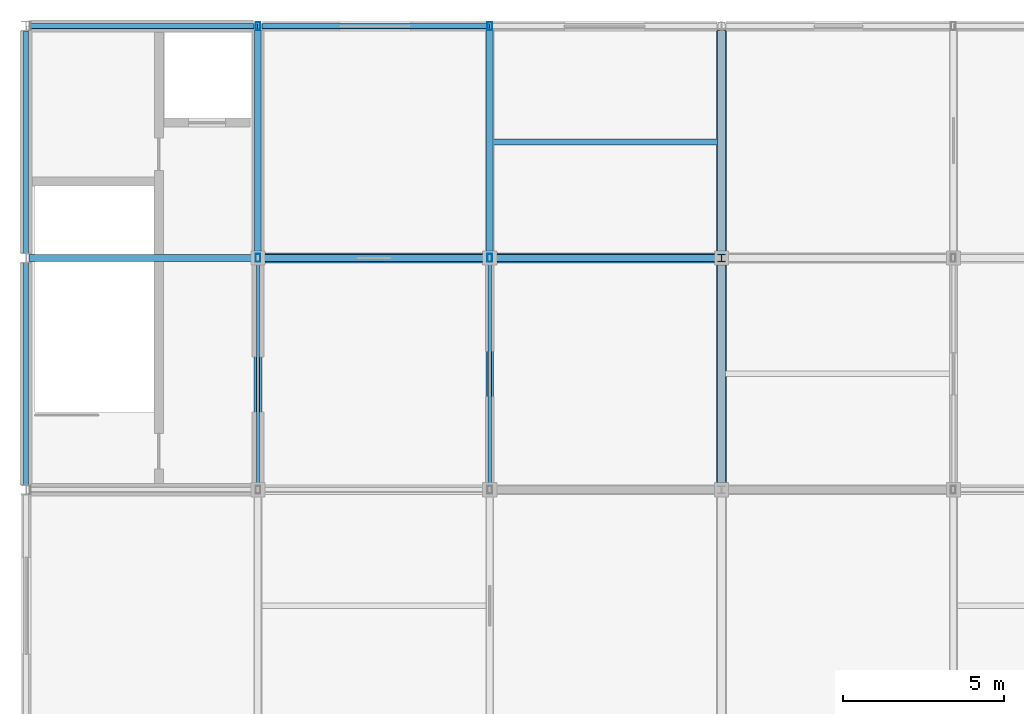
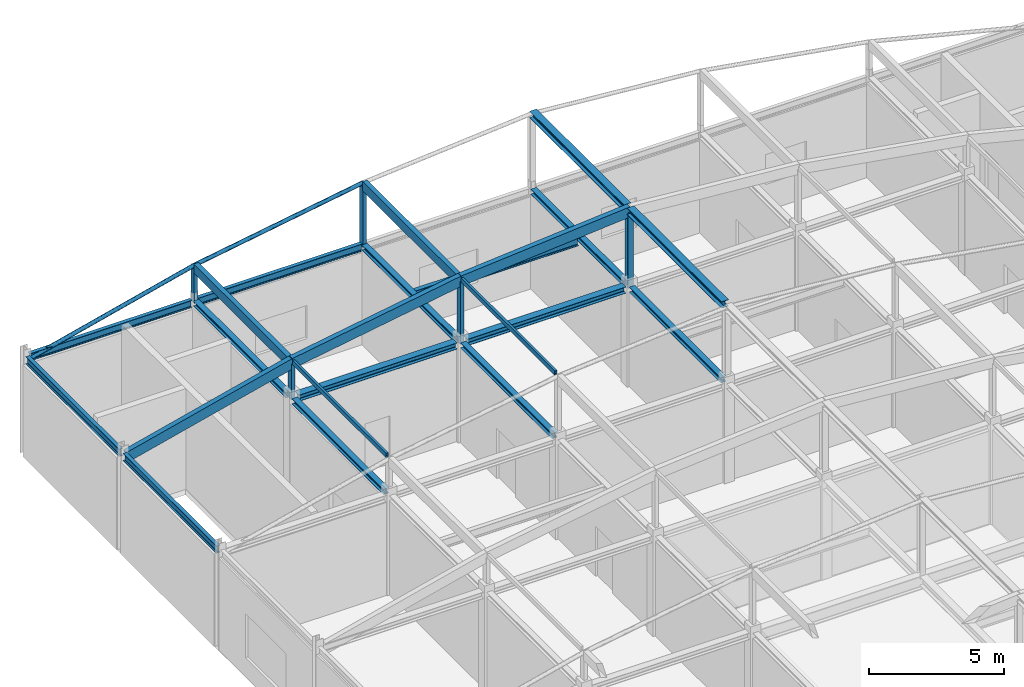
# One storey, part 12 of 23: 15 beams, 14 members.
"""IFC4 building model written with IfcOpenShell, lengths in metres."""

import ifcopenshell
import ifcopenshell.guid

model = None  # the IFC model being written
_history = None  # IfcOwnerHistory: only IFC2X3 demands one
_inside = {}  # id of a spatial element -> (the spatial element, [elements in it])
_under = {}  # id of a project, library or spatial element -> (it, [spatial elements below it])
_declared = {}  # id of a project -> (the project, [libraries it declares])
_typed = {}  # id of a type object -> (the type object, [elements of that type])
_made_of = {}  # id of a material, layer set ... -> (it, [elements and type objects made of it])


def new_model(schema):
    """Start an empty IFC model of exactly this schema.

    Asked for "IFC4X3", IfcOpenShell would pick the latest addendum, in which some entities
    have other attributes; the version numbers below select the first issue.
    IFC2X3 requires an IfcOwnerHistory on every rooted entity: one is made here for all.
    """
    global model, _history
    if schema == "IFC4X3":
        model = ifcopenshell.file(schema_version=(4, 3, 0, 0))
    else:
        model = ifcopenshell.file(schema=schema)
    _inside.clear()
    _under.clear()
    _declared.clear()
    _typed.clear()
    _made_of.clear()
    _history = None
    if model.schema == "IFC2X3":
        org = make("IfcOrganization", Name="unknown")
        user = make(
            "IfcPersonAndOrganization",
            ThePerson=make("IfcPerson", FamilyName="unknown"),
            TheOrganization=org,
        )
        app = make(
            "IfcApplication",
            ApplicationDeveloper=org,
            Version="unknown",
            ApplicationFullName="unknown",
            ApplicationIdentifier="unknown",
        )
        _history = make(
            "IfcOwnerHistory",
            OwningUser=user,
            OwningApplication=app,
            ChangeAction="ADDED",
            CreationDate=0,
        )
    return model


def make(cls, **values):
    """One entity of the class cls with the attributes given. An attribute that is None is left unset."""
    return model.create_entity(
        cls, **{name: value for name, value in values.items() if value is not None}
    )


def rooted(cls, **values):
    """An entity with a GlobalId (a new one), such as an element, a storey or a relation."""
    return make(cls, GlobalId=ifcopenshell.guid.new(), OwnerHistory=_history, **values)


def si_unit(unit_type, name, prefix=None):
    """IfcSIUnit, for example si_unit("LENGTHUNIT", "METRE", prefix="MILLI")."""
    return make("IfcSIUnit", UnitType=unit_type, Prefix=prefix, Name=name)


def assignment(units):
    """IfcUnitAssignment: the units of a project."""
    return None if units is None else make("IfcUnitAssignment", Units=units)


def point(xyz):
    """IfcCartesianPoint."""
    return None if xyz is None else make("IfcCartesianPoint", Coordinates=xyz)


def direction(xyz):
    """IfcDirection."""
    return None if xyz is None else make("IfcDirection", DirectionRatios=xyz)


def frame(location, z_axis=None, x_axis=None):
    """IfcAxis2Placement3D, a coordinate frame: its origin and axes. An axis left out is left unset."""
    return make(
        "IfcAxis2Placement3D",
        Location=point(location),
        Axis=direction(z_axis),
        RefDirection=direction(x_axis),
    )


def frame_2d(location, x_axis=None):
    """IfcAxis2Placement2D, a coordinate frame in the plane: its origin and x axis."""
    return make(
        "IfcAxis2Placement2D", Location=point(location), RefDirection=direction(x_axis)
    )


def origin():
    """The frame at (0, 0, 0) with its axes left unset."""
    return frame((0.0, 0.0, 0.0))


def origin_2d():
    """The frame at (0, 0) in the plane with its x axis left unset."""
    return frame_2d((0.0, 0.0))


def place(relative_to, where):
    """IfcLocalPlacement: puts the frame where relative to a parent placement (None: the world)."""
    return make(
        "IfcLocalPlacement", PlacementRelTo=relative_to, RelativePlacement=where
    )


def context(
    kind, dimensions, precision=None, world=None, true_north=None, identifier=None
):
    """IfcGeometricRepresentationContext, for example the 3D "Model" context."""
    return make(
        "IfcGeometricRepresentationContext",
        ContextIdentifier=identifier,
        ContextType=kind,
        CoordinateSpaceDimension=dimensions,
        Precision=precision,
        WorldCoordinateSystem=world,
        TrueNorth=true_north,
    )


def subcontext(parent, identifier, kind, view, scale=None):
    """IfcGeometricRepresentationSubContext, for example "Body" below "Model"."""
    return make(
        "IfcGeometricRepresentationSubContext",
        ContextIdentifier=identifier,
        ContextType=kind,
        ParentContext=parent,
        TargetScale=scale,
        TargetView=view,
    )


def project(units=None, contexts=None):
    """IfcProject with its units and contexts."""
    return rooted(
        "IfcProject",
        Name="project",
        RepresentationContexts=contexts,
        UnitsInContext=assignment(units),
    )


def spatial(cls, under=None, at=None, **own):
    """A site, building, storey or space (cls), placed at a placement, below another one or the project."""
    s = rooted(cls, ObjectPlacement=at, **own)
    if under is not None:
        _under.setdefault(under.id(), (under, []))[1].append(s)
    return s


def profile(cls, at=None, kind="AREA", **sizes):
    """A parametric profile (cls). Its sizes go by their IFC names, for example OverallWidth=200.0."""
    return make(cls, ProfileType=kind, Position=at, **sizes)


def rectangle(**sizes):
    """IfcRectangleProfileDef."""
    return profile("IfcRectangleProfileDef", **sizes)


def hollow_rectangle(**sizes):
    """IfcRectangleHollowProfileDef."""
    return profile("IfcRectangleHollowProfileDef", **sizes)


def hollow_circle(**sizes):
    """IfcCircleHollowProfileDef."""
    return profile("IfcCircleHollowProfileDef", **sizes)


def i_section(**sizes):
    """IfcIShapeProfileDef."""
    return profile("IfcIShapeProfileDef", **sizes)


def extrude(swept, where, along, depth):
    """IfcExtrudedAreaSolid: the profile swept, set in the frame where, extruded along a direction by depth."""
    return make(
        "IfcExtrudedAreaSolid",
        SweptArea=swept,
        Position=where,
        ExtrudedDirection=direction(along),
        Depth=depth,
    )


def shape(context_of_items, identifier, shape_type, items):
    """IfcShapeRepresentation: the items that make up one representation, for example the "Body"."""
    return make(
        "IfcShapeRepresentation",
        ContextOfItems=context_of_items,
        RepresentationIdentifier=identifier,
        RepresentationType=shape_type,
        Items=items,
    )


def material(Name=None, Category=None):
    """IfcMaterial."""
    return make("IfcMaterial", Name=Name, Category=Category)


def material_profile(
    of_material, cross_section, Name=None, Category=None, Priority=None
):
    """IfcMaterialProfile: a cross section and its material."""
    return make(
        "IfcMaterialProfile",
        Name=Name,
        Material=of_material,
        Profile=cross_section,
        Priority=Priority,
        Category=Category,
    )


def profile_set(profiles, Name=None, composite=None):
    """IfcMaterialProfileSet."""
    return make(
        "IfcMaterialProfileSet",
        Name=Name,
        MaterialProfiles=profiles,
        CompositeProfile=composite,
    )


def made_of(thing, what):
    """Note that an element or type object is made of a material, layer set ...; save() writes the relation."""
    if what is not None:
        _made_of.setdefault(what.id(), (what, []))[1].append(thing)
    return thing


def type_object(cls, material=None, **own):
    """A type object (cls), such as IfcWallType, which elements share."""
    return made_of(rooted(cls, **own), material)


def element(
    cls,
    number,
    at=None,
    inside=None,
    cuts=None,
    type_object=None,
    material=None,
    context=None,
    identifier="Body",
    shape_type=None,
    held_by="IfcProductDefinitionShape",
    body=None,
    shapes=None,
    **own,
):
    """One element of the class cls, such as IfcWall. Its Tag is "e" and its number.

    at: its placement. inside: the storey or other place that contains it. cuts: it is an
    opening in that element (IfcRelVoidsElement). A single representation is given by context,
    identifier, shape_type and body (its items); several are given by shapes. held_by: the class
    of the entity that holds the representations. save() writes the other relations.
    """
    e = rooted(cls, Tag="e%d" % number, ObjectPlacement=at, **own)
    if body is not None:
        shapes = [shape(context, identifier, shape_type, body)]
    if shapes is not None:
        e.Representation = make(held_by, Representations=shapes)
    if inside is not None:
        _inside.setdefault(inside.id(), (inside, []))[1].append(e)
    if cuts is not None:
        rooted(
            "IfcRelVoidsElement", RelatingBuildingElement=cuts, RelatedOpeningElement=e
        )
    if type_object is not None:
        _typed.setdefault(type_object.id(), (type_object, []))[1].append(e)
    return made_of(e, material)


def aggregate(whole, parts):
    """IfcRelAggregates: a whole, such as a stair, and the parts it consists of."""
    return rooted("IfcRelAggregates", RelatingObject=whole, RelatedObjects=parts)


def save(model, path):
    """Write the relations noted so far, then the file.

    IfcRelAggregates (storeys below a building ...), IfcRelContainedInSpatialStructure (elements
    in a storey), IfcRelDefinesByType, IfcRelAssociatesMaterial and IfcRelDeclares: one each for
    every whole, place, type object, material and project.
    """
    for whole, parts in _under.values():
        aggregate(whole, parts)
    for where, things in _inside.values():
        rooted(
            "IfcRelContainedInSpatialStructure",
            RelatedElements=things,
            RelatingStructure=where,
        )
    for kind, things in _typed.values():
        rooted("IfcRelDefinesByType", RelatedObjects=things, RelatingType=kind)
    for what, things in _made_of.values():
        rooted("IfcRelAssociatesMaterial", RelatedObjects=things, RelatingMaterial=what)
    for by, libraries in _declared.values():
        rooted("IfcRelDeclares", RelatingContext=by, RelatedDefinitions=libraries)
    model.write(path)


model = new_model("IFC4")

# Units and contexts
model_context = context("Model", 3, precision=1e-05, world=origin(), true_north=direction((0.0, 1.0)))
body_context = subcontext(model_context, "Body", "Model", "MODEL_VIEW")
ifc_project = project(units=[si_unit("LENGTHUNIT", "METRE"), si_unit("AREAUNIT", "SQUARE_METRE"), si_unit("VOLUMEUNIT", "CUBIC_METRE"), si_unit("PLANEANGLEUNIT", "RADIAN"), si_unit("MASSUNIT", "GRAM", prefix="KILO")], contexts=[model_context])

# Site, building, storey
site_placement = place(None, origin())
site = spatial("IfcSite", under=ifc_project, at=site_placement, CompositionType="ELEMENT")
building_placement = place(site_placement, origin())
building = spatial("IfcBuilding", under=site, at=building_placement, Name="Cendaluz Park School", CompositionType="ELEMENT")
storey_placement = place(building_placement, frame((0.0, 0.0, 67.199951171875)))
storey = spatial("IfcBuildingStorey", under=building, at=storey_placement, Name="L16", CompositionType="ELEMENT", Elevation=67.199951171875)

# Beams
ifc_material_1 = material(Name="Steel S355", Category="steel")
ifc_material_profile_1 = material_profile(ifc_material_1, i_section(OverallWidth=0.300048828125, OverallDepth=0.300048828125, WebThickness=0.010986328125, FlangeThickness=0.01904296875, FilletRadius=0.027099609375, at=origin_2d()), Name="HEB 300", Category="steel")
ifc_profile_set_1 = profile_set([ifc_material_profile_1], Name="Steel S355")
beam_type_1 = type_object("IfcBeamType", Name="BM-ST03", PredefinedType="BEAM", material=ifc_profile_set_1)
for number, where, z_axis, x_axis, name in (
    (1, (86.39990234375, 43.31005859375, 7.85009765625), (0.0, 1.0, 0.0), (-1.0, 0.0, 0.0), "BM-L16-BMST03-0093"),
    (2, (86.39990234375, 50.510009765625, 7.85009765625), (0.0, 1.0, 0.0), (-1.0, 0.0, 0.0), "BM-L16-BMST03-0094"),
):
    element("IfcBeam", number, at=place(storey_placement, frame(where, z_axis=z_axis, x_axis=x_axis)), inside=storey, type_object=beam_type_1, Name=name, PredefinedType="BEAM", context=body_context, shape_type="SweptSolid", body=[
        extrude(i_section(OverallWidth=0.300048828125, OverallDepth=0.300048828125, WebThickness=0.010986328125, FlangeThickness=0.01904296875, FilletRadius=0.027099609375, at=origin_2d()), origin(), (0.0, 0.0, 1.0), 6.97998046875),
    ])
ifc_material_profile_2 = material_profile(ifc_material_1, i_section(OverallWidth=0.300048828125, OverallDepth=0.2900390625, WebThickness=0.009033203125, FlangeThickness=0.013916015625, FilletRadius=0.027099609375, at=origin_2d()), Name="HEA 300", Category="steel")
ifc_profile_set_2 = profile_set([ifc_material_profile_2], Name="Steel S355")
beam_type_2 = type_object("IfcBeamType", Name="BM-ST05", PredefinedType="BEAM", material=ifc_profile_set_2)
for number, where, z_axis, x_axis, name in (
    (3, (72.219970703125, 50.39990234375, 4.344970703125), (1.0, 0.0, 0.0), (0.0, 1.0, 0.0), "BM-L16-BMST05-0011"),
    (4, (79.419921875, 50.39990234375, 4.344970703125), (1.0, 0.0, 0.0), (0.0, 1.0, 0.0), "BM-L16-BMST05-0017"),
):
    element("IfcBeam", number, at=place(storey_placement, frame(where, z_axis=z_axis, x_axis=x_axis)), inside=storey, type_object=beam_type_2, Name=name, PredefinedType="BEAM", context=body_context, shape_type="SweptSolid", body=[
        extrude(i_section(OverallWidth=0.300048828125, OverallDepth=0.2900390625, WebThickness=0.009033203125, FlangeThickness=0.013916015625, FilletRadius=0.027099609375, at=origin_2d()), origin(), (0.0, 0.0, 1.0), 6.760009765625),
    ])
ifc_material_profile_3 = material_profile(ifc_material_1, i_section(OverallWidth=0.239990234375, OverallDepth=0.22998046875, WebThickness=0.008056640625, FlangeThickness=0.011962890625, FilletRadius=0.02099609375, at=origin_2d()), Name="HEA 240", Category="steel")
ifc_profile_set_3 = profile_set([ifc_material_profile_3], Name="Steel S355")
beam_type_3 = type_object("IfcBeamType", Name="BM-ST06", PredefinedType="BEAM", material=ifc_profile_set_3)
beam_1_placement = place(storey_placement, frame((72.0, 43.419921875, 4.375), z_axis=(0.0, 1.0, 0.0), x_axis=(-1.0, 0.0, 0.0)))
element("IfcBeam", 5, at=beam_1_placement, inside=storey, type_object=beam_type_3, Name="BM-L16-BMST06-0047", PredefinedType="BEAM", context=body_context, shape_type="SweptSolid", body=[
    extrude(i_section(OverallWidth=0.239990234375, OverallDepth=0.22998046875, WebThickness=0.008056640625, FlangeThickness=0.011962890625, FilletRadius=0.02099609375, at=origin_2d()), origin(), (0.0, 0.0, 1.0), 6.760009765625),
])
beam_2_placement = place(storey_placement, frame((72.0, 50.6201171875, 4.375), z_axis=(0.0, 1.0, 0.0), x_axis=(-1.0, 0.0, 0.0)))
element("IfcBeam", 6, at=beam_2_placement, inside=storey, type_object=beam_type_3, Name="BM-L16-BMST06-0048", PredefinedType="BEAM", context=body_context, shape_type="SweptSolid", body=[
    extrude(i_section(OverallWidth=0.239990234375, OverallDepth=0.22998046875, WebThickness=0.008056640625, FlangeThickness=0.011962890625, FilletRadius=0.02099609375, at=origin_2d()), origin(), (0.0, 0.0, 1.0), 6.84326171875),
])
beam_3_placement = place(storey_placement, frame((79.199951171875, 43.419921875, 4.375), z_axis=(0.0, 1.0, 0.0), x_axis=(-1.0, 0.0, 0.0)))
element("IfcBeam", 7, at=beam_3_placement, inside=storey, type_object=beam_type_3, Name="BM-L16-BMST06-0053", PredefinedType="BEAM", context=body_context, shape_type="SweptSolid", body=[
    extrude(i_section(OverallWidth=0.239990234375, OverallDepth=0.22998046875, WebThickness=0.008056640625, FlangeThickness=0.011962890625, FilletRadius=0.02099609375, at=origin_2d()), origin(), (0.0, 0.0, 1.0), 6.760009765625),
])
beam_4_placement = place(storey_placement, frame((79.199951171875, 50.6201171875, 4.375), z_axis=(0.0, 1.0, 0.0), x_axis=(-1.0, 0.0, 0.0)))
element("IfcBeam", 8, at=beam_4_placement, inside=storey, type_object=beam_type_3, Name="BM-L16-BMST06-0054", PredefinedType="BEAM", context=body_context, shape_type="SweptSolid", body=[
    extrude(i_section(OverallWidth=0.239990234375, OverallDepth=0.22998046875, WebThickness=0.008056640625, FlangeThickness=0.011962890625, FilletRadius=0.02099609375, at=origin_2d()), origin(), (0.0, 0.0, 1.0), 6.85498046875),
])
beam_5_placement = place(storey_placement, frame((86.39990234375, 43.419921875, 4.375), z_axis=(0.0, 1.0, 0.0), x_axis=(-1.0, 0.0, 0.0)))
element("IfcBeam", 9, at=beam_5_placement, inside=storey, type_object=beam_type_3, Name="BM-L16-BMST06-0057", PredefinedType="BEAM", context=body_context, shape_type="SweptSolid", body=[
    extrude(i_section(OverallWidth=0.239990234375, OverallDepth=0.22998046875, WebThickness=0.008056640625, FlangeThickness=0.011962890625, FilletRadius=0.02099609375, at=origin_2d()), origin(), (0.0, 0.0, 1.0), 6.760009765625),
])
beam_6_placement = place(storey_placement, frame((86.39990234375, 50.6201171875, 4.375), z_axis=(0.0, 1.0, 0.0), x_axis=(-1.0, 0.0, 0.0)))
element("IfcBeam", 10, at=beam_6_placement, inside=storey, type_object=beam_type_3, Name="BM-L16-BMST06-0058", PredefinedType="BEAM", context=body_context, shape_type="SweptSolid", body=[
    extrude(i_section(OverallWidth=0.239990234375, OverallDepth=0.22998046875, WebThickness=0.008056640625, FlangeThickness=0.011962890625, FilletRadius=0.02099609375, at=origin_2d()), origin(), (0.0, 0.0, 1.0), 6.84326171875),
])
ifc_material_profile_4 = material_profile(ifc_material_1, i_section(OverallWidth=0.179931640625, OverallDepth=0.39990234375, WebThickness=0.009033203125, FlangeThickness=0.013916015625, FilletRadius=0.02099609375, at=origin_2d()), Name="IPE 400", Category="steel")
ifc_profile_set_4 = profile_set([ifc_material_profile_4], Name="Steel S355")
beam_type_4 = type_object("IfcBeamType", Name="BM-ST07", PredefinedType="BEAM", material=ifc_profile_set_4)
beam_7_placement = place(storey_placement, frame((79.320068359375, 54.0, 4.2900390625), z_axis=(1.0, 0.0, 0.0), x_axis=(0.0, 1.0, 0.0)))
element("IfcBeam", 11, at=beam_7_placement, inside=storey, type_object=beam_type_4, Name="BM-L16-BMST07-0083", PredefinedType="BEAM", context=body_context, shape_type="SweptSolid", body=[
    extrude(i_section(OverallWidth=0.179931640625, OverallDepth=0.39990234375, WebThickness=0.009033203125, FlangeThickness=0.013916015625, FilletRadius=0.02099609375, at=origin_2d()), origin(), (0.0, 0.0, 1.0), 6.9599609375),
])
ifc_material_profile_5 = material_profile(ifc_material_1, i_section(OverallWidth=0.159912109375, OverallDepth=0.330078125, WebThickness=0.008056640625, FlangeThickness=0.011962890625, FilletRadius=0.01806640625, at=origin_2d()), Name="IPE 330", Category="steel")
ifc_profile_set_5 = profile_set([ifc_material_profile_5], Name="Steel S355")
beam_type_5 = type_object("IfcBeamType", Name="BM-ST08", PredefinedType="LINTEL", material=ifc_profile_set_5)
beam_8_placement = place(storey_placement, frame((64.949951171875, 57.60009765625, 4.324951171875), z_axis=(1.0, 0.0, 0.0), x_axis=(0.0, 1.0, 0.0)))
element("IfcBeam", 12, at=beam_8_placement, inside=storey, type_object=beam_type_5, Name="BM-L16-BMST08-0005", PredefinedType="LINTEL", context=body_context, shape_type="SweptSolid", body=[
    extrude(i_section(OverallWidth=0.159912109375, OverallDepth=0.330078125, WebThickness=0.008056640625, FlangeThickness=0.011962890625, FilletRadius=0.01806640625, at=origin_2d()), origin(), (0.0, 0.0, 1.0), 6.91357421875),
])
beam_9_placement = place(storey_placement, frame((72.136474609375, 57.60009765625, 4.324951171875), z_axis=(1.0, 0.0, 0.0), x_axis=(0.0, 1.0, 0.0)))
element("IfcBeam", 13, at=beam_9_placement, inside=storey, type_object=beam_type_5, Name="BM-L16-BMST08-0012", PredefinedType="LINTEL", context=body_context, shape_type="SweptSolid", body=[
    extrude(i_section(OverallWidth=0.159912109375, OverallDepth=0.330078125, WebThickness=0.008056640625, FlangeThickness=0.011962890625, FilletRadius=0.01806640625, at=origin_2d()), origin(), (0.0, 0.0, 1.0), 6.988525390625),
])
beam_10_placement = place(storey_placement, frame((64.800048828125, 43.35009765625, 4.324951171875), z_axis=(0.0, 1.0, 0.0), x_axis=(-1.0, 0.0, 0.0)))
element("IfcBeam", 14, at=beam_10_placement, inside=storey, type_object=beam_type_5, Name="BM-L16-BMST08-0041", PredefinedType="LINTEL", context=body_context, shape_type="SweptSolid", body=[
    extrude(i_section(OverallWidth=0.159912109375, OverallDepth=0.330078125, WebThickness=0.008056640625, FlangeThickness=0.011962890625, FilletRadius=0.01806640625, at=origin_2d()), origin(), (0.0, 0.0, 1.0), 6.90478515625),
])
beam_11_placement = place(storey_placement, frame((64.800048828125, 50.544921875, 4.324951171875), z_axis=(0.0, 1.0, 0.0), x_axis=(-1.0, 0.0, 0.0)))
element("IfcBeam", 15, at=beam_11_placement, inside=storey, type_object=beam_type_5, Name="BM-L16-BMST08-0042", PredefinedType="LINTEL", context=body_context, shape_type="SweptSolid", body=[
    extrude(i_section(OverallWidth=0.159912109375, OverallDepth=0.330078125, WebThickness=0.008056640625, FlangeThickness=0.011962890625, FilletRadius=0.01806640625, at=origin_2d()), origin(), (0.0, 0.0, 1.0), 6.905029296875),
])

# Members
ifc_material_profile_6 = material_profile(ifc_material_1, hollow_circle(Radius=0.083984375, WallThickness=0.008056640625, at=origin_2d()), Name="CHS 168x8", Category="steel")
ifc_profile_set_6 = profile_set([ifc_material_profile_6], Name="Steel S355")
member_type_1 = type_object("IfcMemberType", Name="MB-CH02", PredefinedType="CHORD", material=ifc_profile_set_6)
member_1_placement = place(storey_placement, frame((64.93994140625, 57.60009765625, 4.219970703125), z_axis=(0.970304131105, 0.0, 0.241888183178), x_axis=(0.0, 1.0, 0.0)))
element("IfcMember", 16, at=member_1_placement, inside=storey, type_object=member_type_1, Name="MB-L16-MBCH02-0072", PredefinedType="CHORD", context=body_context, shape_type="SweptSolid", body=[
    extrude(hollow_circle(Radius=0.083984375, WallThickness=0.008056640625, at=origin_2d()), origin(), (0.0, 0.0, 1.0), 7.276123046875),
])
member_2_placement = place(storey_placement, frame((72.0, 57.60009765625, 5.97998046875), z_axis=(0.986394827799, 0.0, 0.164393563414), x_axis=(0.0, 1.0, 0.0)))
element("IfcMember", 17, at=member_2_placement, inside=storey, type_object=member_type_1, Name="MB-L16-MBCH02-0073", PredefinedType="CHORD", context=body_context, shape_type="SweptSolid", body=[
    extrude(hollow_circle(Radius=0.083984375, WallThickness=0.008056640625, at=origin_2d()), origin(), (0.0, 0.0, 1.0), 7.29931640625),
])
ifc_material_2 = material(Name="Glulam GL28h", Category="wood")
ifc_material_profile_7 = material_profile(ifc_material_2, rectangle(XDim=0.219970703125, YDim=0.4599609375, at=origin_2d()), Name="GL28h 220x460", Category="wood")
ifc_profile_set_7 = profile_set([ifc_material_profile_7], Name="Glulam GL28h")
member_type_2 = type_object("IfcMemberType", Name="MB-CH03", PredefinedType="CHORD", material=ifc_profile_set_7)
member_3_placement = place(storey_placement, frame((64.93994140625, 50.39990234375, 4.219970703125), z_axis=(0.970304131105, 0.0, 0.241888183178), x_axis=(0.0, 1.0, 0.0)))
element("IfcMember", 18, at=member_3_placement, inside=storey, type_object=member_type_2, Name="MB-L16-MBCH03-0061", PredefinedType="CHORD", context=body_context, shape_type="SweptSolid", body=[
    extrude(rectangle(XDim=0.219970703125, YDim=0.4599609375, at=origin_2d()), origin(), (0.0, 0.0, 1.0), 7.276123046875),
])
member_4_placement = place(storey_placement, frame((72.0, 50.39990234375, 5.97998046875), z_axis=(0.986394827799, 0.0, 0.164393563414), x_axis=(0.0, 1.0, 0.0)))
element("IfcMember", 19, at=member_4_placement, inside=storey, type_object=member_type_2, Name="MB-L16-MBCH03-0062", PredefinedType="CHORD", context=body_context, shape_type="SweptSolid", body=[
    extrude(rectangle(XDim=0.219970703125, YDim=0.4599609375, at=origin_2d()), origin(), (0.0, 0.0, 1.0), 7.29931640625),
])
member_5_placement = place(storey_placement, frame((79.199951171875, 50.39990234375, 7.179931640625), z_axis=(0.996544592923, 0.0, 0.083059462528), x_axis=(0.0, 1.0, 0.0)))
element("IfcMember", 20, at=member_5_placement, inside=storey, type_object=member_type_2, Name="MB-L16-MBCH03-0063", PredefinedType="CHORD", context=body_context, shape_type="SweptSolid", body=[
    extrude(rectangle(XDim=0.219970703125, YDim=0.4599609375, at=origin_2d()), origin(), (0.0, 0.0, 1.0), 7.224853515625),
])
ifc_material_profile_8 = material_profile(ifc_material_1, hollow_rectangle(XDim=0.10009765625, YDim=0.199951171875, WallThickness=0.008056640625, at=origin_2d()), Name="RHS 200x100x8", Category="steel")
ifc_profile_set_8 = profile_set([ifc_material_profile_8], Name="Steel S355")
member_type_3 = type_object("IfcMemberType", Name="MB-PR03", PredefinedType="PURLIN", material=ifc_profile_set_8)
for number, where, z_axis, x_axis, name in (
    (21, (72.0, 43.340087890625, 6.050048828125), (0.0, 1.0, 0.0), (-1.0, 0.0, 0.0), "MB-L16-MBPR03-0094"),
    (22, (79.199951171875, 43.340087890625, 7.25), (0.0, 1.0, 0.0), (-1.0, 0.0, 0.0), "MB-L16-MBPR03-0095"),
):
    element("IfcMember", number, at=place(storey_placement, frame(where, z_axis=z_axis, x_axis=x_axis)), inside=storey, type_object=member_type_3, Name=name, PredefinedType="PURLIN", context=body_context, shape_type="SweptSolid", body=[
        extrude(hollow_rectangle(XDim=0.10009765625, YDim=0.199951171875, WallThickness=0.008056640625, at=origin_2d()), origin(), (0.0, 0.0, 1.0), 6.919921875),
    ])
ifc_material_profile_9 = material_profile(ifc_material_2, rectangle(XDim=0.199951171875, YDim=0.419921875, at=origin_2d()), Name="GL28h 200x420", Category="wood")
ifc_profile_set_9 = profile_set([ifc_material_profile_9], Name="Glulam GL28h")
member_type_4 = type_object("IfcMemberType", Name="MB-PR04", PredefinedType="PURLIN", material=ifc_profile_set_9)
for number, where, z_axis, x_axis, name in (
    (23, (72.0, 50.5400390625, 5.93994140625), (0.0, 1.0, 0.0), (-1.0, 0.0, 0.0), "MB-L16-MBPR04-0098"),
    (24, (79.199951171875, 50.5400390625, 7.14013671875), (0.0, 1.0, 0.0), (-1.0, 0.0, 0.0), "MB-L16-MBPR04-0099"),
):
    element("IfcMember", number, at=place(storey_placement, frame(where, z_axis=z_axis, x_axis=x_axis)), inside=storey, type_object=member_type_4, Name=name, PredefinedType="PURLIN", context=body_context, shape_type="SweptSolid", body=[
        extrude(rectangle(XDim=0.199951171875, YDim=0.419921875, at=origin_2d()), origin(), (0.0, 0.0, 1.0), 6.919921875),
    ])
ifc_material_profile_10 = material_profile(ifc_material_1, i_section(OverallWidth=0.239990234375, OverallDepth=0.22998046875, WebThickness=0.008056640625, FlangeThickness=0.011962890625, FilletRadius=0.02099609375, at=origin_2d()), Name="HEA 240", Category="steel")
ifc_profile_set_10 = profile_set([ifc_material_profile_10], Name="Steel S355")
member_type_5 = type_object("IfcMemberType", Name="MST-01", PredefinedType="STRUT", material=ifc_profile_set_10)
member_6_placement = place(storey_placement, frame((86.39990234375, 50.39990234375, 4.35009765625), z_axis=(0.0, 0.0, 1.0), x_axis=(1.0, 0.0, 0.0)))
element("IfcMember", 25, at=member_6_placement, inside=storey, type_object=member_type_5, Name="MB-L16-MBST01-0056", PredefinedType="STRUT", context=body_context, shape_type="SweptSolid", body=[
    extrude(i_section(OverallWidth=0.239990234375, OverallDepth=0.22998046875, WebThickness=0.008056640625, FlangeThickness=0.011962890625, FilletRadius=0.02099609375, at=origin_2d()), origin(), (0.0, 0.0, 1.0), 3.429931640625),
])
ifc_material_profile_11 = material_profile(ifc_material_1, hollow_rectangle(XDim=0.14990234375, YDim=0.25, WallThickness=0.010009765625, at=origin_2d()), Name="RHS 250x150x10", Category="steel")
ifc_profile_set_11 = profile_set([ifc_material_profile_11], Name="Steel S355")
member_type_6 = type_object("IfcMemberType", Name="MST-02", PredefinedType="STRUT", material=ifc_profile_set_11)
member_7_placement = place(storey_placement, frame((72.0, 50.39990234375, 4.35009765625), z_axis=(0.0, 0.0, 1.0), x_axis=(1.0, 0.0, 0.0)))
element("IfcMember", 26, at=member_7_placement, inside=storey, type_object=member_type_6, Name="MB-L16-MBST02-0057", PredefinedType="STRUT", context=body_context, shape_type="SweptSolid", body=[
    extrude(hollow_rectangle(XDim=0.14990234375, YDim=0.25, WallThickness=0.010009765625, at=origin_2d()), origin(), (0.0, 0.0, 1.0), 1.6298828125),
])
member_8_placement = place(storey_placement, frame((79.199951171875, 50.39990234375, 4.35009765625), z_axis=(0.0, 0.0, 1.0), x_axis=(1.0, 0.0, 0.0)))
element("IfcMember", 27, at=member_8_placement, inside=storey, type_object=member_type_6, Name="MB-L16-MBST02-0058", PredefinedType="STRUT", context=body_context, shape_type="SweptSolid", body=[
    extrude(hollow_rectangle(XDim=0.14990234375, YDim=0.25, WallThickness=0.010009765625, at=origin_2d()), origin(), (0.0, 0.0, 1.0), 2.829833984375),
])
member_9_placement = place(storey_placement, frame((72.0, 57.60009765625, 4.35009765625), z_axis=(0.0, 0.0, 1.0), x_axis=(1.0, 0.0, 0.0)))
element("IfcMember", 28, at=member_9_placement, inside=storey, type_object=member_type_6, Name="MB-L16-MBST02-0068", PredefinedType="STRUT", context=body_context, shape_type="SweptSolid", body=[
    extrude(hollow_rectangle(XDim=0.14990234375, YDim=0.25, WallThickness=0.010009765625, at=origin_2d()), origin(), (0.0, 0.0, 1.0), 1.6298828125),
])
member_10_placement = place(storey_placement, frame((79.199951171875, 57.60009765625, 4.35009765625), z_axis=(0.0, 0.0, 1.0), x_axis=(1.0, 0.0, 0.0)))
element("IfcMember", 29, at=member_10_placement, inside=storey, type_object=member_type_6, Name="MB-L16-MBST02-0069", PredefinedType="STRUT", context=body_context, shape_type="SweptSolid", body=[
    extrude(hollow_rectangle(XDim=0.14990234375, YDim=0.25, WallThickness=0.010009765625, at=origin_2d()), origin(), (0.0, 0.0, 1.0), 2.829833984375),
])

save(model, "model.ifc")
